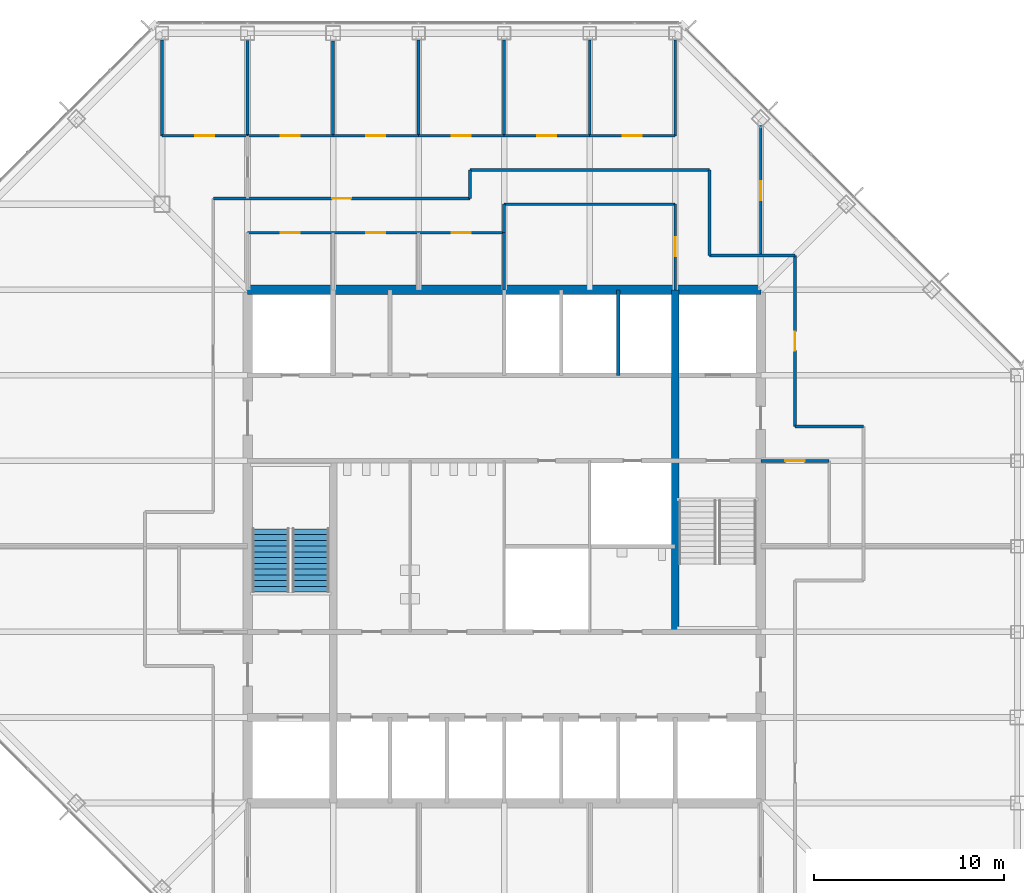
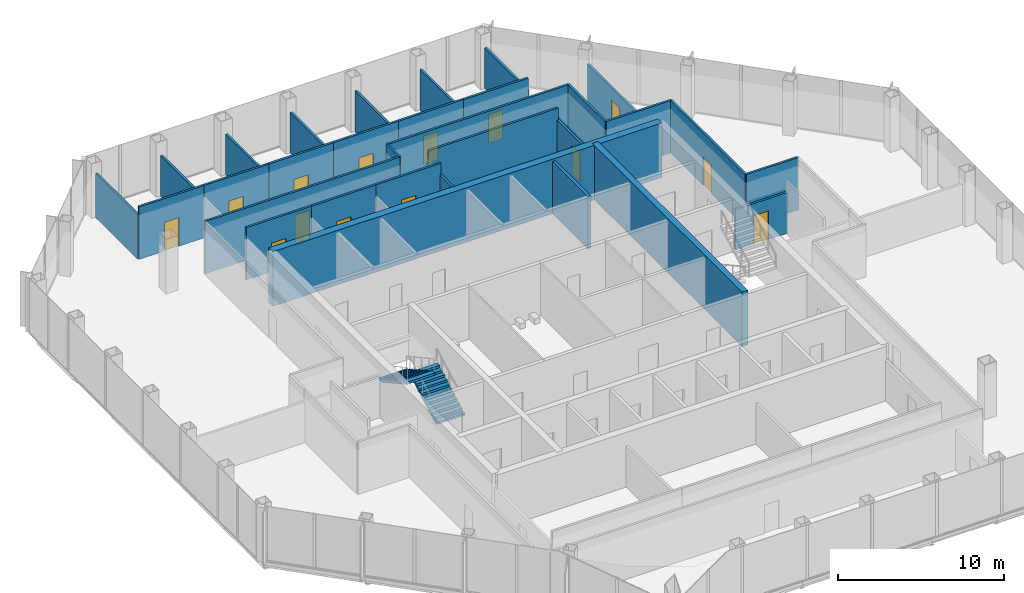
# One storey, part 10 of 13: 32 walls, 14 doors, 2 stair flights, 14 openings, 1 element without a shape of its own.
"""IFC4 building model written with IfcOpenShell, lengths in metres."""

from ifc_helpers import new_model, si_unit, direction, frame, frame_2d, origin, place, context, subcontext, project, spatial, polyline, rectangle, outline, extrude, material, layer, layer_set, type_object, element, fill, aggregate, save


model = new_model("IFC4")

# Units and contexts
model_context = context("Model", 3, precision=1e-05, world=origin(), true_north=direction((0.0, 1.0)))
body_context = subcontext(model_context, "Body", "Model", "MODEL_VIEW")
ifc_project = project(units=[si_unit("LENGTHUNIT", "METRE"), si_unit("AREAUNIT", "SQUARE_METRE"), si_unit("VOLUMEUNIT", "CUBIC_METRE"), si_unit("PLANEANGLEUNIT", "RADIAN"), si_unit("MASSUNIT", "GRAM", prefix="KILO")], contexts=[model_context])

# Site, building, storey
site_placement = place(None, origin())
site = spatial("IfcSite", under=ifc_project, at=site_placement, CompositionType="ELEMENT")
building_placement = place(site_placement, origin())
building = spatial("IfcBuilding", under=site, at=building_placement, Name="Corais Broadcast Tower", CompositionType="ELEMENT")
storey_placement = place(building_placement, frame((0.0, 0.0, 167.60009765625)))
storey = spatial("IfcBuildingStorey", under=building, at=storey_placement, Name="L38", CompositionType="ELEMENT", Elevation=167.60009765625)

# Walls
ifc_material_1 = material(Name="Concrete C50/60", Category="concrete")
ifc_layer_1 = layer(ifc_material_1, 0.39990234375)
ifc_layer_set_1 = layer_set([ifc_layer_1], Name="Concrete C50/60")
wall_type_1 = type_object("IfcWallType", Name="Core wall 400", PredefinedType="SHEAR", material=ifc_layer_set_1)
wall_1_placement = place(storey_placement, frame((36.0, 22.5, 0.0), z_axis=(0.0, 0.0, 1.0), x_axis=(0.0, 1.0, 0.0)))
element("IfcWall", 1, at=wall_1_placement, inside=storey, type_object=wall_type_1, Name="CR400 core wall X36B L38", PredefinedType="SHEAR", context=body_context, shape_type="SweptSolid", body=[
    extrude(rectangle(XDim=18.0, YDim=0.39990234375, at=frame_2d((9.0, 0.0))), origin(), (0.0, 0.0, 1.0), 4.0),
])
ifc_material_2 = material(Name="Concrete C50/60", Category="concrete")
ifc_layer_2 = layer(ifc_material_2, 0.5)
ifc_layer_set_2 = layer_set([ifc_layer_2], Name="Concrete C50/60")
wall_type_2 = type_object("IfcWallType", Name="Core wall 500", PredefinedType="SHEAR", material=ifc_layer_set_2)
wall_2_placement = place(storey_placement, frame((40.5, 40.5, 0.0), z_axis=(0.0, 0.0, 1.0), x_axis=(-1.0, 0.0, 0.0)))
element("IfcWall", 2, at=wall_2_placement, inside=storey, type_object=wall_type_2, Name="CR500 core wall N L38", PredefinedType="SHEAR", context=body_context, shape_type="SweptSolid", body=[
    extrude(rectangle(XDim=27.0, YDim=0.5, at=frame_2d((13.5, 0.0))), origin(), (0.0, 0.0, 1.0), 4.0),
])

# Wall, opening, door
ifc_material_3 = material(Name="Gypsum board on steel studs", Category="steel")
ifc_layer_3 = layer(ifc_material_3, 0.14990234375)
ifc_layer_set_3 = layer_set([ifc_layer_3], Name="Gypsum board on steel studs")
wall_type_3 = type_object("IfcWallType", Name="Partition 150", PredefinedType="PARTITIONING", material=ifc_layer_set_3)
wall_3_placement = place(storey_placement, frame((25.199951171875, 45.300048828125, 0.0), z_axis=(0.0, 0.0, 1.0), x_axis=(-1.0, 0.0, 0.0)))
wall_3 = element("IfcWall", 3, at=wall_3_placement, inside=storey, type_object=wall_type_3, Name="IW3 corridor wall L38", PredefinedType="PARTITIONING", context=body_context, shape_type="SweptSolid", body=[
    extrude(rectangle(XDim=13.5, YDim=0.14990234375, at=frame_2d((6.75, 0.0))), origin(), (0.0, 0.0, 1.0), 3.83984375),
])
opening_1_placement = place(wall_3_placement, frame((6.25, 0.0, 0.0)))
opening_1 = element("IfcOpeningElement", 4, at=opening_1_placement, cuts=wall_3, Name="Opening D1", PredefinedType="OPENING", context=body_context, shape_type="SweptSolid", body=[
    extrude(rectangle(XDim=1.0, YDim=2.10009765625, at=frame_2d((0.5, 1.050048828125))), frame((0.0, 0.0849609375, 0.0), z_axis=(0.0, -1.0, 0.0), x_axis=(1.0, 0.0, 0.0)), (0.0, 0.0, 1.0), 0.169921875),
])
ifc_material_4 = material(Name="Timber door", Category="wood")
door_type = type_object("IfcDoorType", Name="Single door 1000x2100", OperationType="SINGLE_SWING_LEFT", PredefinedType="DOOR", material=ifc_material_4)
door_1_placement = place(opening_1_placement, origin())
door_1 = element("IfcDoor", 5, at=door_1_placement, inside=storey, type_object=door_type, Name="D1 workplace door L38", OperationType="SINGLE_SWING_LEFT", OverallHeight=2.10009765625, OverallWidth=1.0, PredefinedType="DOOR", context=body_context, shape_type="SweptSolid", body=[
    extrude(rectangle(XDim=1.0, YDim=2.10009765625, at=frame_2d((0.5, 1.050048828125))), frame((0.0, 0.02490234375, 0.0), z_axis=(0.0, -1.0, 0.0), x_axis=(1.0, 0.0, 0.0)), (0.0, 0.0, 1.0), 0.050048828125),
])
fill(opening_1, door_1)

# Wall
wall_4_placement = place(storey_placement, frame((37.800048828125, 46.800048828125, 0.0), z_axis=(0.0, 0.0, 1.0), x_axis=(-1.0, 0.0, 0.0)))
element("IfcWall", 6, at=wall_4_placement, inside=storey, type_object=wall_type_3, Name="IW3 corridor wall L38", PredefinedType="PARTITIONING", context=body_context, shape_type="SweptSolid", body=[
    extrude(rectangle(XDim=12.60009765625, YDim=0.14990234375, at=frame_2d((6.300048828125, 0.0))), origin(), (0.0, 0.0, 1.0), 3.83984375),
])

# Wall, opening, door
wall_5_placement = place(storey_placement, frame((42.300048828125, 33.300048828125, 0.0), z_axis=(0.0, 0.0, 1.0), x_axis=(0.0, 1.0, 0.0)))
wall_5 = element("IfcWall", 7, at=wall_5_placement, inside=storey, type_object=wall_type_3, Name="IW3 corridor wall L38", PredefinedType="PARTITIONING", context=body_context, shape_type="SweptSolid", body=[
    extrude(rectangle(XDim=9.0, YDim=0.14990234375, at=frame_2d((4.5, 0.0))), origin(), (0.0, 0.0, 1.0), 3.83984375),
])
opening_2_placement = place(wall_5_placement, frame((4.0, 0.0, 0.0)))
opening_2 = element("IfcOpeningElement", 8, at=opening_2_placement, cuts=wall_5, Name="Opening D1", PredefinedType="OPENING", context=body_context, shape_type="SweptSolid", body=[
    extrude(rectangle(XDim=1.0, YDim=2.10009765625, at=frame_2d((0.5, 1.050048828125))), frame((0.0, 0.0849609375, 0.0), z_axis=(0.0, -1.0, 0.0), x_axis=(1.0, 0.0, 0.0)), (0.0, 0.0, 1.0), 0.169921875),
])
door_2_placement = place(opening_2_placement, origin())
door_2 = element("IfcDoor", 9, at=door_2_placement, inside=storey, type_object=door_type, Name="D1 workplace door L38", OperationType="SINGLE_SWING_LEFT", OverallHeight=2.10009765625, OverallWidth=1.0, PredefinedType="DOOR", context=body_context, shape_type="SweptSolid", body=[
    extrude(rectangle(XDim=1.0, YDim=2.10009765625, at=frame_2d((0.5, 1.050048828125))), frame((0.0, 0.02490234375, 0.0), z_axis=(0.0, -1.0, 0.0), x_axis=(1.0, 0.0, 0.0)), (0.0, 0.0, 1.0), 0.050048828125),
])
fill(opening_2, door_2)

# Walls
for number, where, z_axis, x_axis, name in (
    (10, (37.800048828125, 42.300048828125, 0.0), (0.0, 0.0, 1.0), (0.0, 1.0, 0.0), "IW3 corridor wall L38"),
    (11, (42.300048828125, 42.300048828125, 0.0), (0.0, 0.0, 1.0), (-1.0, 0.0, 0.0), "IW3 corridor wall L38"),
):
    element("IfcWall", number, at=place(storey_placement, frame(where, z_axis=z_axis, x_axis=x_axis)), inside=storey, type_object=wall_type_3, Name=name, PredefinedType="PARTITIONING", context=body_context, shape_type="SweptSolid", body=[
        extrude(rectangle(XDim=4.5, YDim=0.14990234375, at=frame_2d((2.25, 0.0))), origin(), (0.0, 0.0, 1.0), 3.83984375),
    ])
wall_6_placement = place(storey_placement, frame((45.89990234375, 33.300048828125, 0.0), z_axis=(0.0, 0.0, 1.0), x_axis=(-1.0, 0.0, 0.0)))
element("IfcWall", 12, at=wall_6_placement, inside=storey, type_object=wall_type_3, Name="IW3 corridor wall L38", PredefinedType="PARTITIONING", context=body_context, shape_type="SweptSolid", body=[
    extrude(rectangle(XDim=3.599853515625, YDim=0.14990234375, at=frame_2d((1.7998046875, 0.0))), origin(), (0.0, 0.0, 1.0), 3.83984375),
])
wall_7_placement = place(storey_placement, frame((25.199951171875, 46.800048828125, 0.0), z_axis=(0.0, 0.0, 1.0), x_axis=(0.0, -1.0, 0.0)))
element("IfcWall", 13, at=wall_7_placement, inside=storey, type_object=wall_type_3, Name="IW3 corridor wall L38", PredefinedType="PARTITIONING", context=body_context, shape_type="SweptSolid", body=[
    extrude(rectangle(XDim=1.5, YDim=0.14990234375, at=frame_2d((0.75, 0.0))), origin(), (0.0, 0.0, 1.0), 3.83984375),
])

# Wall, opening, door
wall_8_placement = place(storey_placement, frame((9.0, 48.60009765625, 0.0), z_axis=(0.0, 0.0, 1.0), x_axis=(1.0, 0.0, 0.0)))
wall_8 = element("IfcWall", 14, at=wall_8_placement, inside=storey, type_object=wall_type_3, Name="IW3 partition L38", PredefinedType="PARTITIONING", context=body_context, shape_type="SweptSolid", body=[
    extrude(rectangle(XDim=4.5, YDim=0.14990234375, at=frame_2d((2.25, 0.0))), origin(), (0.0, 0.0, 1.0), 3.83984375),
])
opening_3_placement = place(wall_8_placement, frame((1.75, 0.0, 0.0)))
opening_3 = element("IfcOpeningElement", 15, at=opening_3_placement, cuts=wall_8, Name="Opening D1", PredefinedType="OPENING", context=body_context, shape_type="SweptSolid", body=[
    extrude(rectangle(XDim=1.0, YDim=2.10009765625, at=frame_2d((0.5, 1.050048828125))), frame((0.0, 0.0849609375, 0.0), z_axis=(0.0, -1.0, 0.0), x_axis=(1.0, 0.0, 0.0)), (0.0, 0.0, 1.0), 0.169921875),
])
door_3_placement = place(opening_3_placement, origin())
door_3 = element("IfcDoor", 16, at=door_3_placement, inside=storey, type_object=door_type, Name="D1 Office door", OperationType="SINGLE_SWING_LEFT", OverallHeight=2.10009765625, OverallWidth=1.0, PredefinedType="DOOR", context=body_context, shape_type="SweptSolid", body=[
    extrude(rectangle(XDim=1.0, YDim=2.10009765625, at=frame_2d((0.5, 1.050048828125))), frame((0.0, 0.02490234375, 0.0), z_axis=(0.0, -1.0, 0.0), x_axis=(1.0, 0.0, 0.0)), (0.0, 0.0, 1.0), 0.050048828125),
])
fill(opening_3, door_3)

# Walls
wall_9_placement = place(storey_placement, frame((13.5, 48.60009765625, 0.0), z_axis=(0.0, 0.0, 1.0), x_axis=(0.0, 1.0, 0.0)))
element("IfcWall", 17, at=wall_9_placement, inside=storey, type_object=wall_type_3, Name="IW3 partition L38", PredefinedType="PARTITIONING", context=body_context, shape_type="SweptSolid", body=[
    extrude(rectangle(XDim=5.014892578125, YDim=0.14990234375, at=frame_2d((2.50732421875, 0.0))), origin(), (0.0, 0.0, 1.0), 2.989013671875),
])
wall_10_placement = place(storey_placement, frame((9.0, 53.639892578125, 0.0), z_axis=(0.0, 0.0, 1.0), x_axis=(0.0, -1.0, 0.0)))
element("IfcWall", 18, at=wall_10_placement, inside=storey, type_object=wall_type_3, Name="IW3 partition L38", PredefinedType="PARTITIONING", context=body_context, shape_type="SweptSolid", body=[
    extrude(rectangle(XDim=5.039794921875, YDim=0.14990234375, at=frame_2d((2.52001953125, 0.0))), origin(), (0.0, 0.0, 1.0), 3.22900390625),
])

# Wall, opening, door
wall_11_placement = place(storey_placement, frame((13.5, 48.60009765625, 0.0), z_axis=(0.0, 0.0, 1.0), x_axis=(1.0, 0.0, 0.0)))
wall_11 = element("IfcWall", 19, at=wall_11_placement, inside=storey, type_object=wall_type_3, Name="IW3 partition L38", PredefinedType="PARTITIONING", context=body_context, shape_type="SweptSolid", body=[
    extrude(rectangle(XDim=4.5, YDim=0.14990234375, at=frame_2d((2.25, 0.0))), origin(), (0.0, 0.0, 1.0), 3.83984375),
])
opening_4_placement = place(wall_11_placement, frame((1.75, 0.0, 0.0)))
opening_4 = element("IfcOpeningElement", 20, at=opening_4_placement, cuts=wall_11, Name="Opening D1", PredefinedType="OPENING", context=body_context, shape_type="SweptSolid", body=[
    extrude(rectangle(XDim=1.0, YDim=2.10009765625, at=frame_2d((0.5, 1.050048828125))), frame((0.0, 0.0849609375, 0.0), z_axis=(0.0, -1.0, 0.0), x_axis=(1.0, 0.0, 0.0)), (0.0, 0.0, 1.0), 0.169921875),
])
door_4_placement = place(opening_4_placement, origin())
door_4 = element("IfcDoor", 21, at=door_4_placement, inside=storey, type_object=door_type, Name="D1 Office door", OperationType="SINGLE_SWING_LEFT", OverallHeight=2.10009765625, OverallWidth=1.0, PredefinedType="DOOR", context=body_context, shape_type="SweptSolid", body=[
    extrude(rectangle(XDim=1.0, YDim=2.10009765625, at=frame_2d((0.5, 1.050048828125))), frame((0.0, 0.02490234375, 0.0), z_axis=(0.0, -1.0, 0.0), x_axis=(1.0, 0.0, 0.0)), (0.0, 0.0, 1.0), 0.050048828125),
])
fill(opening_4, door_4)

# Wall
wall_12_placement = place(storey_placement, frame((18.0, 48.60009765625, 0.0), z_axis=(0.0, 0.0, 1.0), x_axis=(0.0, 1.0, 0.0)))
element("IfcWall", 22, at=wall_12_placement, inside=storey, type_object=wall_type_3, Name="IW3 partition L38", PredefinedType="PARTITIONING", context=body_context, shape_type="SweptSolid", body=[
    extrude(rectangle(XDim=4.989990234375, YDim=0.14990234375, at=frame_2d((2.4951171875, 0.0))), origin(), (0.0, 0.0, 1.0), 2.989013671875),
])

# Wall, opening, door
wall_13_placement = place(storey_placement, frame((18.0, 48.60009765625, 0.0), z_axis=(0.0, 0.0, 1.0), x_axis=(1.0, 0.0, 0.0)))
wall_13 = element("IfcWall", 23, at=wall_13_placement, inside=storey, type_object=wall_type_3, Name="IW3 partition L38", PredefinedType="PARTITIONING", context=body_context, shape_type="SweptSolid", body=[
    extrude(rectangle(XDim=4.5, YDim=0.14990234375, at=frame_2d((2.25, 0.0))), origin(), (0.0, 0.0, 1.0), 3.83984375),
])
opening_5_placement = place(wall_13_placement, frame((1.75, 0.0, 0.0)))
opening_5 = element("IfcOpeningElement", 24, at=opening_5_placement, cuts=wall_13, Name="Opening D1", PredefinedType="OPENING", context=body_context, shape_type="SweptSolid", body=[
    extrude(rectangle(XDim=1.0, YDim=2.10009765625, at=frame_2d((0.5, 1.050048828125))), frame((0.0, 0.0849609375, 0.0), z_axis=(0.0, -1.0, 0.0), x_axis=(1.0, 0.0, 0.0)), (0.0, 0.0, 1.0), 0.169921875),
])
door_5_placement = place(opening_5_placement, origin())
door_5 = element("IfcDoor", 25, at=door_5_placement, inside=storey, type_object=door_type, Name="D1 Office door", OperationType="SINGLE_SWING_LEFT", OverallHeight=2.10009765625, OverallWidth=1.0, PredefinedType="DOOR", context=body_context, shape_type="SweptSolid", body=[
    extrude(rectangle(XDim=1.0, YDim=2.10009765625, at=frame_2d((0.5, 1.050048828125))), frame((0.0, 0.02490234375, 0.0), z_axis=(0.0, -1.0, 0.0), x_axis=(1.0, 0.0, 0.0)), (0.0, 0.0, 1.0), 0.050048828125),
])
fill(opening_5, door_5)

# Wall
wall_14_placement = place(storey_placement, frame((22.5, 48.60009765625, 0.0), z_axis=(0.0, 0.0, 1.0), x_axis=(0.0, 1.0, 0.0)))
element("IfcWall", 26, at=wall_14_placement, inside=storey, type_object=wall_type_3, Name="IW3 partition L38", PredefinedType="PARTITIONING", context=body_context, shape_type="SweptSolid", body=[
    extrude(rectangle(XDim=5.039794921875, YDim=0.14990234375, at=frame_2d((2.52001953125, 0.0))), origin(), (0.0, 0.0, 1.0), 2.989013671875),
])

# Wall, opening, door
wall_15_placement = place(storey_placement, frame((22.5, 48.60009765625, 0.0), z_axis=(0.0, 0.0, 1.0), x_axis=(1.0, 0.0, 0.0)))
wall_15 = element("IfcWall", 27, at=wall_15_placement, inside=storey, type_object=wall_type_3, Name="IW3 partition L38", PredefinedType="PARTITIONING", context=body_context, shape_type="SweptSolid", body=[
    extrude(rectangle(XDim=4.5, YDim=0.14990234375, at=frame_2d((2.25, 0.0))), origin(), (0.0, 0.0, 1.0), 3.83984375),
])
opening_6_placement = place(wall_15_placement, frame((1.75, 0.0, 0.0)))
opening_6 = element("IfcOpeningElement", 28, at=opening_6_placement, cuts=wall_15, Name="Opening D1", PredefinedType="OPENING", context=body_context, shape_type="SweptSolid", body=[
    extrude(rectangle(XDim=1.0, YDim=2.10009765625, at=frame_2d((0.5, 1.050048828125))), frame((0.0, 0.0849609375, 0.0), z_axis=(0.0, -1.0, 0.0), x_axis=(1.0, 0.0, 0.0)), (0.0, 0.0, 1.0), 0.169921875),
])
door_6_placement = place(opening_6_placement, origin())
door_6 = element("IfcDoor", 29, at=door_6_placement, inside=storey, type_object=door_type, Name="D1 Office door", OperationType="SINGLE_SWING_LEFT", OverallHeight=2.10009765625, OverallWidth=1.0, PredefinedType="DOOR", context=body_context, shape_type="SweptSolid", body=[
    extrude(rectangle(XDim=1.0, YDim=2.10009765625, at=frame_2d((0.5, 1.050048828125))), frame((0.0, 0.02490234375, 0.0), z_axis=(0.0, -1.0, 0.0), x_axis=(1.0, 0.0, 0.0)), (0.0, 0.0, 1.0), 0.050048828125),
])
fill(opening_6, door_6)

# Wall
wall_16_placement = place(storey_placement, frame((27.0, 48.60009765625, 0.0), z_axis=(0.0, 0.0, 1.0), x_axis=(0.0, 1.0, 0.0)))
element("IfcWall", 30, at=wall_16_placement, inside=storey, type_object=wall_type_3, Name="IW3 partition L38", PredefinedType="PARTITIONING", context=body_context, shape_type="SweptSolid", body=[
    extrude(rectangle(XDim=5.039794921875, YDim=0.14990234375, at=frame_2d((2.52001953125, 0.0))), origin(), (0.0, 0.0, 1.0), 2.989013671875),
])

# Wall, opening, door
wall_17_placement = place(storey_placement, frame((27.0, 48.60009765625, 0.0), z_axis=(0.0, 0.0, 1.0), x_axis=(1.0, 0.0, 0.0)))
wall_17 = element("IfcWall", 31, at=wall_17_placement, inside=storey, type_object=wall_type_3, Name="IW3 partition L38", PredefinedType="PARTITIONING", context=body_context, shape_type="SweptSolid", body=[
    extrude(rectangle(XDim=4.5, YDim=0.14990234375, at=frame_2d((2.25, 0.0))), origin(), (0.0, 0.0, 1.0), 3.83984375),
])
opening_7_placement = place(wall_17_placement, frame((1.75, 0.0, 0.0)))
opening_7 = element("IfcOpeningElement", 32, at=opening_7_placement, cuts=wall_17, Name="Opening D1", PredefinedType="OPENING", context=body_context, shape_type="SweptSolid", body=[
    extrude(rectangle(XDim=1.0, YDim=2.10009765625, at=frame_2d((0.5, 1.050048828125))), frame((0.0, 0.0849609375, 0.0), z_axis=(0.0, -1.0, 0.0), x_axis=(1.0, 0.0, 0.0)), (0.0, 0.0, 1.0), 0.169921875),
])
door_7_placement = place(opening_7_placement, origin())
door_7 = element("IfcDoor", 33, at=door_7_placement, inside=storey, type_object=door_type, Name="D1 Office door", OperationType="SINGLE_SWING_LEFT", OverallHeight=2.10009765625, OverallWidth=1.0, PredefinedType="DOOR", context=body_context, shape_type="SweptSolid", body=[
    extrude(rectangle(XDim=1.0, YDim=2.10009765625, at=frame_2d((0.5, 1.050048828125))), frame((0.0, 0.02490234375, 0.0), z_axis=(0.0, -1.0, 0.0), x_axis=(1.0, 0.0, 0.0)), (0.0, 0.0, 1.0), 0.050048828125),
])
fill(opening_7, door_7)

# Wall
wall_18_placement = place(storey_placement, frame((31.5, 48.60009765625, 0.0), z_axis=(0.0, 0.0, 1.0), x_axis=(0.0, 1.0, 0.0)))
element("IfcWall", 34, at=wall_18_placement, inside=storey, type_object=wall_type_3, Name="IW3 partition L38", PredefinedType="PARTITIONING", context=body_context, shape_type="SweptSolid", body=[
    extrude(rectangle(XDim=5.039794921875, YDim=0.14990234375, at=frame_2d((2.52001953125, 0.0))), origin(), (0.0, 0.0, 1.0), 2.989013671875),
])

# Wall, opening, door
wall_19_placement = place(storey_placement, frame((31.5, 48.60009765625, 0.0), z_axis=(0.0, 0.0, 1.0), x_axis=(1.0, 0.0, 0.0)))
wall_19 = element("IfcWall", 35, at=wall_19_placement, inside=storey, type_object=wall_type_3, Name="IW3 partition L38", PredefinedType="PARTITIONING", context=body_context, shape_type="SweptSolid", body=[
    extrude(rectangle(XDim=4.5, YDim=0.14990234375, at=frame_2d((2.25, 0.0))), origin(), (0.0, 0.0, 1.0), 3.83984375),
])
opening_8_placement = place(wall_19_placement, frame((1.75, 0.0, 0.0)))
opening_8 = element("IfcOpeningElement", 36, at=opening_8_placement, cuts=wall_19, Name="Opening D1", PredefinedType="OPENING", context=body_context, shape_type="SweptSolid", body=[
    extrude(rectangle(XDim=1.0, YDim=2.10009765625, at=frame_2d((0.5, 1.050048828125))), frame((0.0, 0.0849609375, 0.0), z_axis=(0.0, -1.0, 0.0), x_axis=(1.0, 0.0, 0.0)), (0.0, 0.0, 1.0), 0.169921875),
])
door_8_placement = place(opening_8_placement, origin())
door_8 = element("IfcDoor", 37, at=door_8_placement, inside=storey, type_object=door_type, Name="D1 Office door", OperationType="SINGLE_SWING_LEFT", OverallHeight=2.10009765625, OverallWidth=1.0, PredefinedType="DOOR", context=body_context, shape_type="SweptSolid", body=[
    extrude(rectangle(XDim=1.0, YDim=2.10009765625, at=frame_2d((0.5, 1.050048828125))), frame((0.0, 0.02490234375, 0.0), z_axis=(0.0, -1.0, 0.0), x_axis=(1.0, 0.0, 0.0)), (0.0, 0.0, 1.0), 0.050048828125),
])
fill(opening_8, door_8)

# Wall
wall_20_placement = place(storey_placement, frame((36.0, 48.60009765625, 0.0), z_axis=(0.0, 0.0, 1.0), x_axis=(0.0, 1.0, 0.0)))
element("IfcWall", 38, at=wall_20_placement, inside=storey, type_object=wall_type_3, Name="IW3 partition L38", PredefinedType="PARTITIONING", context=body_context, shape_type="SweptSolid", body=[
    extrude(rectangle(XDim=5.039794921875, YDim=0.14990234375, at=frame_2d((2.52001953125, 0.0))), origin(), (0.0, 0.0, 1.0), 2.989013671875),
])

# Wall, opening, door
wall_21_placement = place(storey_placement, frame((44.10009765625, 31.5, 0.0), z_axis=(0.0, 0.0, 1.0), x_axis=(-1.0, 0.0, 0.0)))
wall_21 = element("IfcWall", 39, at=wall_21_placement, inside=storey, type_object=wall_type_3, Name="IW3 partition L38", PredefinedType="PARTITIONING", context=body_context, shape_type="SweptSolid", body=[
    extrude(rectangle(XDim=3.60009765625, YDim=0.14990234375, at=frame_2d((1.800048828125, 0.0))), origin(), (0.0, 0.0, 1.0), 2.989013671875),
])
opening_9_placement = place(wall_21_placement, frame((1.300048828125, 0.0, 0.0)))
opening_9 = element("IfcOpeningElement", 40, at=opening_9_placement, cuts=wall_21, Name="Opening D1", PredefinedType="OPENING", context=body_context, shape_type="SweptSolid", body=[
    extrude(rectangle(XDim=1.0, YDim=2.10009765625, at=frame_2d((0.5, 1.050048828125))), frame((0.0, 0.0849609375, 0.0), z_axis=(0.0, -1.0, 0.0), x_axis=(1.0, 0.0, 0.0)), (0.0, 0.0, 1.0), 0.169921875),
])
door_9_placement = place(opening_9_placement, origin())
door_9 = element("IfcDoor", 41, at=door_9_placement, inside=storey, type_object=door_type, Name="D1 Pantry door", OperationType="SINGLE_SWING_LEFT", OverallHeight=2.10009765625, OverallWidth=1.0, PredefinedType="DOOR", context=body_context, shape_type="SweptSolid", body=[
    extrude(rectangle(XDim=1.0, YDim=2.10009765625, at=frame_2d((0.5, 1.050048828125))), frame((0.0, 0.02490234375, 0.0), z_axis=(0.0, -1.0, 0.0), x_axis=(1.0, 0.0, 0.0)), (0.0, 0.0, 1.0), 0.050048828125),
])
fill(opening_9, door_9)

wall_22_placement = place(storey_placement, frame((18.0, 43.5, 0.0), z_axis=(0.0, 0.0, 1.0), x_axis=(-1.0, 0.0, 0.0)))
wall_22 = element("IfcWall", 42, at=wall_22_placement, inside=storey, type_object=wall_type_3, Name="IW3 partition L38", PredefinedType="PARTITIONING", context=body_context, shape_type="SweptSolid", body=[
    extrude(rectangle(XDim=4.5, YDim=0.14990234375, at=frame_2d((2.25, 0.0))), origin(), (0.0, 0.0, 1.0), 3.83984375),
])
opening_10_placement = place(wall_22_placement, frame((1.75, 0.0, 0.0)))
opening_10 = element("IfcOpeningElement", 43, at=opening_10_placement, cuts=wall_22, Name="Opening D1", PredefinedType="OPENING", context=body_context, shape_type="SweptSolid", body=[
    extrude(rectangle(XDim=1.0, YDim=2.10009765625, at=frame_2d((0.5, 1.050048828125))), frame((0.0, 0.0849609375, 0.0), z_axis=(0.0, -1.0, 0.0), x_axis=(1.0, 0.0, 0.0)), (0.0, 0.0, 1.0), 0.169921875),
])
door_10_placement = place(opening_10_placement, origin())
door_10 = element("IfcDoor", 44, at=door_10_placement, inside=storey, type_object=door_type, Name="D1 Quiet room door", OperationType="SINGLE_SWING_LEFT", OverallHeight=2.10009765625, OverallWidth=1.0, PredefinedType="DOOR", context=body_context, shape_type="SweptSolid", body=[
    extrude(rectangle(XDim=1.0, YDim=2.10009765625, at=frame_2d((0.5, 1.050048828125))), frame((0.0, 0.02490234375, 0.0), z_axis=(0.0, -1.0, 0.0), x_axis=(1.0, 0.0, 0.0)), (0.0, 0.0, 1.0), 0.050048828125),
])
fill(opening_10, door_10)

wall_23_placement = place(storey_placement, frame((22.5, 43.5, 0.0), z_axis=(0.0, 0.0, 1.0), x_axis=(-1.0, 0.0, 0.0)))
wall_23 = element("IfcWall", 45, at=wall_23_placement, inside=storey, type_object=wall_type_3, Name="IW3 partition L38", PredefinedType="PARTITIONING", context=body_context, shape_type="SweptSolid", body=[
    extrude(rectangle(XDim=4.5, YDim=0.14990234375, at=frame_2d((2.25, 0.0))), origin(), (0.0, 0.0, 1.0), 3.83984375),
])
opening_11_placement = place(wall_23_placement, frame((1.75, 0.0, 0.0)))
opening_11 = element("IfcOpeningElement", 46, at=opening_11_placement, cuts=wall_23, Name="Opening D1", PredefinedType="OPENING", context=body_context, shape_type="SweptSolid", body=[
    extrude(rectangle(XDim=1.0, YDim=2.10009765625, at=frame_2d((0.5, 1.050048828125))), frame((0.0, 0.0849609375, 0.0), z_axis=(0.0, -1.0, 0.0), x_axis=(1.0, 0.0, 0.0)), (0.0, 0.0, 1.0), 0.169921875),
])
door_11_placement = place(opening_11_placement, origin())
door_11 = element("IfcDoor", 47, at=door_11_placement, inside=storey, type_object=door_type, Name="D1 Quiet room door", OperationType="SINGLE_SWING_LEFT", OverallHeight=2.10009765625, OverallWidth=1.0, PredefinedType="DOOR", context=body_context, shape_type="SweptSolid", body=[
    extrude(rectangle(XDim=1.0, YDim=2.10009765625, at=frame_2d((0.5, 1.050048828125))), frame((0.0, 0.02490234375, 0.0), z_axis=(0.0, -1.0, 0.0), x_axis=(1.0, 0.0, 0.0)), (0.0, 0.0, 1.0), 0.050048828125),
])
fill(opening_11, door_11)

# Wall
wall_24_placement = place(storey_placement, frame((27.0, 40.5, 0.0), z_axis=(0.0, 0.0, 1.0), x_axis=(0.0, 1.0, 0.0)))
element("IfcWall", 48, at=wall_24_placement, inside=storey, type_object=wall_type_3, Name="IW3 partition L38", PredefinedType="PARTITIONING", context=body_context, shape_type="SweptSolid", body=[
    extrude(rectangle(XDim=3.0, YDim=0.14990234375, at=frame_2d((1.5, 0.0))), origin(), (0.0, 0.0, 1.0), 2.989013671875),
])

# Wall, opening, door
wall_25_placement = place(storey_placement, frame((27.0, 43.5, 0.0), z_axis=(0.0, 0.0, 1.0), x_axis=(-1.0, 0.0, 0.0)))
wall_25 = element("IfcWall", 49, at=wall_25_placement, inside=storey, type_object=wall_type_3, Name="IW3 partition L38", PredefinedType="PARTITIONING", context=body_context, shape_type="SweptSolid", body=[
    extrude(rectangle(XDim=4.5, YDim=0.14990234375, at=frame_2d((2.25, 0.0))), origin(), (0.0, 0.0, 1.0), 3.83984375),
])
opening_12_placement = place(wall_25_placement, frame((1.75, 0.0, 0.0)))
opening_12 = element("IfcOpeningElement", 50, at=opening_12_placement, cuts=wall_25, Name="Opening D1", PredefinedType="OPENING", context=body_context, shape_type="SweptSolid", body=[
    extrude(rectangle(XDim=1.0, YDim=2.10009765625, at=frame_2d((0.5, 1.050048828125))), frame((0.0, 0.0849609375, 0.0), z_axis=(0.0, -1.0, 0.0), x_axis=(1.0, 0.0, 0.0)), (0.0, 0.0, 1.0), 0.169921875),
])
door_12_placement = place(opening_12_placement, origin())
door_12 = element("IfcDoor", 51, at=door_12_placement, inside=storey, type_object=door_type, Name="D1 Quiet room door", OperationType="SINGLE_SWING_LEFT", OverallHeight=2.10009765625, OverallWidth=1.0, PredefinedType="DOOR", context=body_context, shape_type="SweptSolid", body=[
    extrude(rectangle(XDim=1.0, YDim=2.10009765625, at=frame_2d((0.5, 1.050048828125))), frame((0.0, 0.02490234375, 0.0), z_axis=(0.0, -1.0, 0.0), x_axis=(1.0, 0.0, 0.0)), (0.0, 0.0, 1.0), 0.050048828125),
])
fill(opening_12, door_12)

wall_26_placement = place(storey_placement, frame((36.0, 40.5, 0.0), z_axis=(0.0, 0.0, 1.0), x_axis=(0.0, 1.0, 0.0)))
wall_26 = element("IfcWall", 52, at=wall_26_placement, inside=storey, type_object=wall_type_3, Name="IW3 partition L38", PredefinedType="PARTITIONING", context=body_context, shape_type="SweptSolid", body=[
    extrude(rectangle(XDim=4.5, YDim=0.14990234375, at=frame_2d((2.25, 0.0))), origin(), (0.0, 0.0, 1.0), 2.989013671875),
])
opening_13_placement = place(wall_26_placement, frame((1.75, 0.0, 0.0)))
opening_13 = element("IfcOpeningElement", 53, at=opening_13_placement, cuts=wall_26, Name="Opening D1", PredefinedType="OPENING", context=body_context, shape_type="SweptSolid", body=[
    extrude(rectangle(XDim=1.0, YDim=2.10009765625, at=frame_2d((0.5, 1.050048828125))), frame((0.0, 0.0849609375, 0.0), z_axis=(0.0, -1.0, 0.0), x_axis=(1.0, 0.0, 0.0)), (0.0, 0.0, 1.0), 0.169921875),
])
door_13_placement = place(opening_13_placement, origin())
door_13 = element("IfcDoor", 54, at=door_13_placement, inside=storey, type_object=door_type, Name="D1 Meeting room door", OperationType="SINGLE_SWING_LEFT", OverallHeight=2.10009765625, OverallWidth=1.0, PredefinedType="DOOR", context=body_context, shape_type="SweptSolid", body=[
    extrude(rectangle(XDim=1.0, YDim=2.10009765625, at=frame_2d((0.5, 1.050048828125))), frame((0.0, 0.02490234375, 0.0), z_axis=(0.0, -1.0, 0.0), x_axis=(1.0, 0.0, 0.0)), (0.0, 0.0, 1.0), 0.050048828125),
])
fill(opening_13, door_13)

# Walls
wall_27_placement = place(storey_placement, frame((36.0, 45.0, 0.0), z_axis=(0.0, 0.0, 1.0), x_axis=(-1.0, 0.0, 0.0)))
element("IfcWall", 55, at=wall_27_placement, inside=storey, type_object=wall_type_3, Name="IW3 partition L38", PredefinedType="PARTITIONING", context=body_context, shape_type="SweptSolid", body=[
    extrude(rectangle(XDim=9.0, YDim=0.14990234375, at=frame_2d((4.5, 0.0))), origin(), (0.0, 0.0, 1.0), 3.83984375),
])
wall_28_placement = place(storey_placement, frame((27.0, 45.0, 0.0), z_axis=(0.0, 0.0, 1.0), x_axis=(0.0, -1.0, 0.0)))
element("IfcWall", 56, at=wall_28_placement, inside=storey, type_object=wall_type_3, Name="IW3 partition L38", PredefinedType="PARTITIONING", context=body_context, shape_type="SweptSolid", body=[
    extrude(rectangle(XDim=1.5, YDim=0.14990234375, at=frame_2d((0.75, 0.0))), origin(), (0.0, 0.0, 1.0), 2.989013671875),
])

# Wall, opening, door
wall_29_placement = place(storey_placement, frame((40.5, 49.1298828125, 0.0), z_axis=(0.0, 0.0, 1.0), x_axis=(0.0, -1.0, 0.0)))
wall_29 = element("IfcWall", 57, at=wall_29_placement, inside=storey, type_object=wall_type_3, Name="IW3 partition L38", PredefinedType="PARTITIONING", context=body_context, shape_type="SweptSolid", body=[
    extrude(rectangle(XDim=6.829833984375, YDim=0.14990234375, at=frame_2d((3.4150390625, 0.0))), origin(), (0.0, 0.0, 1.0), 2.989013671875),
])
opening_14_placement = place(wall_29_placement, frame((2.9150390625, 0.0, 0.0)))
opening_14 = element("IfcOpeningElement", 58, at=opening_14_placement, cuts=wall_29, Name="Opening D1", PredefinedType="OPENING", context=body_context, shape_type="SweptSolid", body=[
    extrude(rectangle(XDim=1.0, YDim=2.10009765625, at=frame_2d((0.5, 1.050048828125))), frame((0.0, 0.0849609375, 0.0), z_axis=(0.0, -1.0, 0.0), x_axis=(1.0, 0.0, 0.0)), (0.0, 0.0, 1.0), 0.169921875),
])
door_14_placement = place(opening_14_placement, origin())
door_14 = element("IfcDoor", 59, at=door_14_placement, inside=storey, type_object=door_type, Name="D1 team room door L38", OperationType="SINGLE_SWING_LEFT", OverallHeight=2.10009765625, OverallWidth=1.0, PredefinedType="DOOR", context=body_context, shape_type="SweptSolid", body=[
    extrude(rectangle(XDim=1.0, YDim=2.10009765625, at=frame_2d((0.5, 1.050048828125))), frame((0.0, 0.02490234375, 0.0), z_axis=(0.0, -1.0, 0.0), x_axis=(1.0, 0.0, 0.0)), (0.0, 0.0, 1.0), 0.050048828125),
])
fill(opening_14, door_14)

# Wall
ifc_material_5 = material(Name="Concrete blockwork class A, grouted, two-hour", Category="masonry")
ifc_layer_4 = layer(ifc_material_5, 0.199951171875)
ifc_layer_set_4 = layer_set([ifc_layer_4], Name="Concrete blockwork class A, grouted, two-hour")
wall_type_4 = type_object("IfcWallType", Name="Shaft wall 200", PredefinedType="PARTITIONING", material=ifc_layer_set_4)
wall_30_placement = place(storey_placement, frame((33.0, 36.0, 0.0), z_axis=(0.0, 0.0, 1.0), x_axis=(0.0, 1.0, 0.0)))
element("IfcWall", 60, at=wall_30_placement, inside=storey, type_object=wall_type_4, Name="IW1 shaft wall L38", PredefinedType="PARTITIONING", context=body_context, shape_type="SweptSolid", body=[
    extrude(rectangle(XDim=4.5, YDim=0.199951171875, at=frame_2d((2.25, 0.0))), origin(), (0.0, 0.0, 1.0), 3.83984375),
])

# Stair, stair flights
ifc_material_6 = material(Name="Concrete C30/37", Category="concrete")
stair_type = type_object("IfcStairType", Name="Half-turn stair 4000", PredefinedType="HALF_TURN_STAIR", material=ifc_material_6)
stair_placement = place(storey_placement, origin())
stair = element("IfcStair", 61, at=stair_placement, inside=storey, type_object=stair_type, Name="Stair A L38", PredefinedType="HALF_TURN_STAIR")
ifc_material_7 = material(Name="Concrete C30/37", Category="concrete")
stair_flight_type = type_object("IfcStairFlightType", Name="Stair flight 4000", PredefinedType="STRAIGHT", material=ifc_material_7)
stair_flight_1_placement = place(storey_placement, frame((16.824951171875, 24.60009765625, 0.0), z_axis=(0.0, 0.0, 1.0), x_axis=(0.0, 1.0, 0.0)))
stair_flight_1 = element("IfcStairFlight", 62, at=stair_flight_1_placement, type_object=stair_flight_type, Name="STA flight 1", NumberOfRisers=12, NumberOfTreads=11, PredefinedType="STRAIGHT", RiserHeight=0.166666667, TreadLength=0.302, context=body_context, shape_type="SweptSolid", body=[
    extrude(outline(polyline([(0.0, 0.0), (0.0, 0.166748046875), (0.302001953125, 0.166748046875), (0.302001953125, 0.333251953125), (0.60400390625, 0.333251953125), (0.60400390625, 0.5), (0.906005859375, 0.5), (0.906005859375, 0.666748046875), (1.2080078125, 0.666748046875), (1.2080078125, 0.833251953125), (1.510009765625, 0.833251953125), (1.510009765625, 1.0), (1.81201171875, 1.0), (1.81201171875, 1.166748046875), (2.114013671875, 1.166748046875), (2.114013671875, 1.333251953125), (2.416015625, 1.333251953125), (2.416015625, 1.5), (2.718017578125, 1.5), (2.718017578125, 1.666748046875), (3.02001953125, 1.666748046875), (3.02001953125, 1.833251953125), (3.322021484375, 1.833251953125), (3.322021484375, 2.0), (3.322021484375, 1.662109375), (0.310302734375, 0.0), (0.0, 0.0)])), frame((0.0, 0.97509765625, 0.0), z_axis=(0.0, -1.0, 0.0), x_axis=(1.0, 0.0, 0.0)), (0.0, 0.0, 1.0), 1.949951171875),
])
stair_flight_2_placement = place(storey_placement, frame((14.72509765625, 27.922119140625, 2.0), z_axis=(0.0, 0.0, 1.0), x_axis=(0.0, -1.0, 0.0)))
stair_flight_2 = element("IfcStairFlight", 63, at=stair_flight_2_placement, type_object=stair_flight_type, Name="STA flight 2", NumberOfRisers=12, NumberOfTreads=11, PredefinedType="STRAIGHT", RiserHeight=0.166666667, TreadLength=0.302, context=body_context, shape_type="SweptSolid", body=[
    extrude(outline(polyline([(0.0, 0.0), (0.0, 0.166748046875), (0.302001953125, 0.166748046875), (0.302001953125, 0.333251953125), (0.60400390625, 0.333251953125), (0.60400390625, 0.5), (0.906005859375, 0.5), (0.906005859375, 0.666748046875), (1.2080078125, 0.666748046875), (1.2080078125, 0.833251953125), (1.510009765625, 0.833251953125), (1.510009765625, 1.0), (1.81201171875, 1.0), (1.81201171875, 1.166748046875), (2.114013671875, 1.166748046875), (2.114013671875, 1.333251953125), (2.416015625, 1.333251953125), (2.416015625, 1.5), (2.718017578125, 1.5), (2.718017578125, 1.666748046875), (3.02001953125, 1.666748046875), (3.02001953125, 1.833251953125), (3.322021484375, 1.833251953125), (3.322021484375, 2.0), (3.322021484375, 1.662109375), (0.310302734375, 0.0), (0.0, 0.0)])), frame((0.0, 0.97509765625, 0.0), z_axis=(0.0, -1.0, 0.0), x_axis=(1.0, 0.0, 0.0)), (0.0, 0.0, 1.0), 1.949951171875),
])
aggregate(stair, [stair_flight_1, stair_flight_2])

save(model, "model.ifc")
